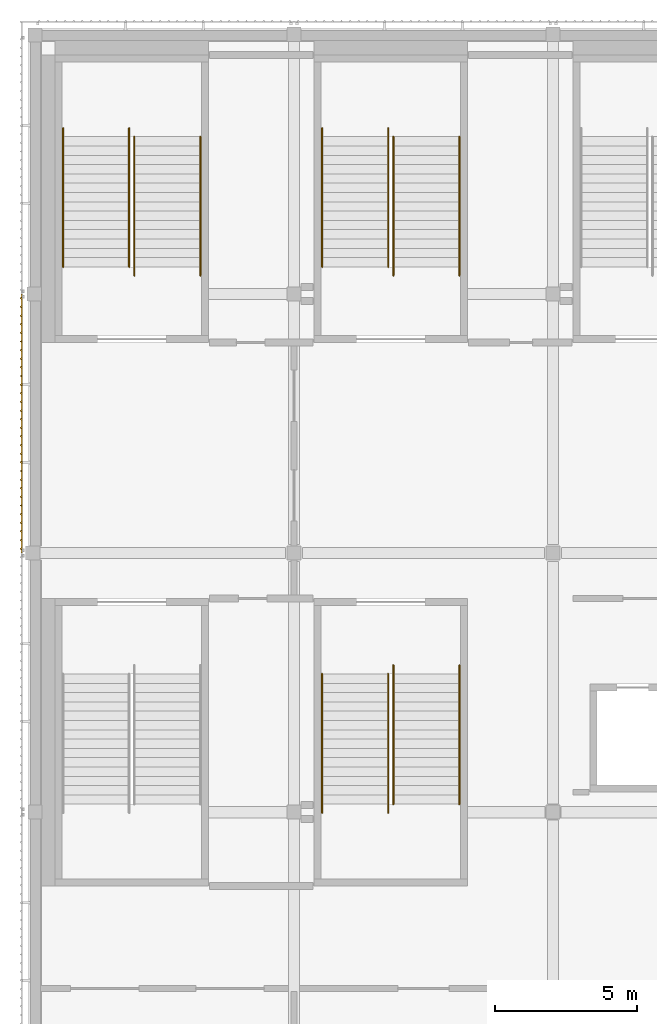
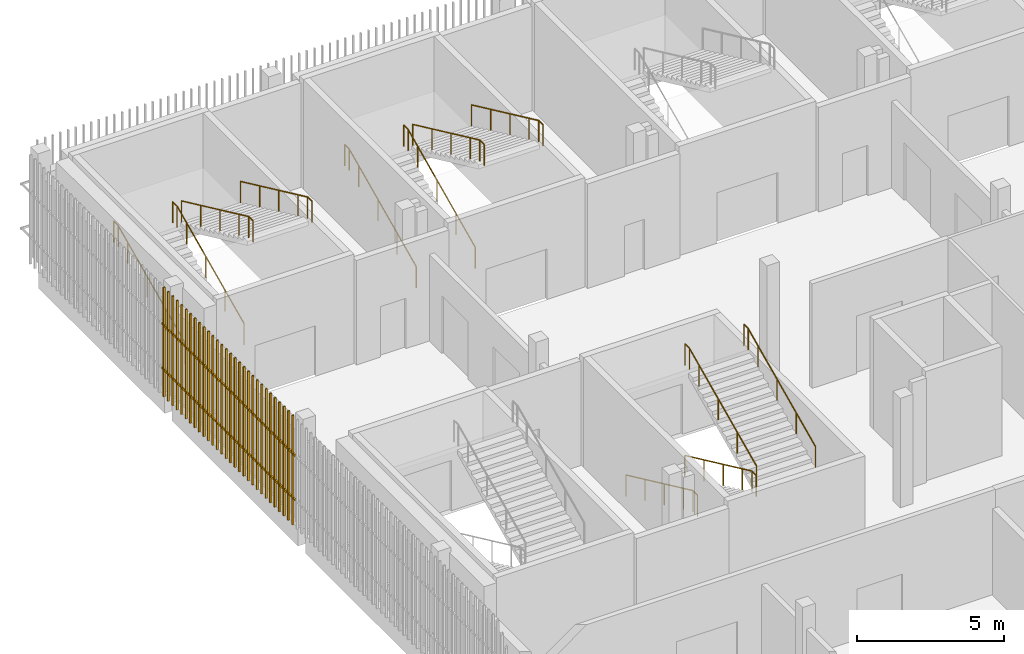
# One storey, part 79 of 91: 12 railings, 1 shading device.
"""IFC4 building model written with IfcOpenShell, lengths in metres."""

from ifc_helpers import new_model, si_unit, direction, frame, origin, origin_2d, place, context, subcontext, project, spatial, rectangle, circle, extrude, material, type_object, element, save


model = new_model("IFC4")

# Units and contexts
model_context = context("Model", 3, precision=1e-05, world=origin(), true_north=direction((0.0, 1.0)))
body_context = subcontext(model_context, "Body", "Model", "MODEL_VIEW")
ifc_project = project(units=[si_unit("LENGTHUNIT", "METRE"), si_unit("AREAUNIT", "SQUARE_METRE"), si_unit("VOLUMEUNIT", "CUBIC_METRE"), si_unit("PLANEANGLEUNIT", "RADIAN"), si_unit("MASSUNIT", "GRAM", prefix="KILO")], contexts=[model_context])

# Site, building, storey
site_placement = place(None, origin())
site = spatial("IfcSite", under=ifc_project, at=site_placement, CompositionType="ELEMENT")
building_placement = place(site_placement, origin())
building = spatial("IfcBuilding", under=site, at=building_placement, Name="Shirokan Park Arena", CompositionType="ELEMENT")
storey_placement = place(building_placement, frame((0.0, 0.0, 24.570068359375)))
storey = spatial("IfcBuildingStorey", under=building, at=storey_placement, Name="L05", CompositionType="ELEMENT", Elevation=24.570068359375)

# Railings
ifc_material_1 = material(Name="Stainless steel", Category="steel")
railing_type = type_object("IfcRailingType", Name="Stair handrail 900", PredefinedType="HANDRAIL", material=ifc_material_1)
railing_1_placement = place(storey_placement, frame((0.989990234375, 101.050048828125, 0.151611328125)))
element("IfcRailing", 1, at=railing_1_placement, inside=storey, type_object=railing_type, Name="Handrail Exit Stair 4.A L05 to L06", PredefinedType="HANDRAIL", context=body_context, shape_type="SweptSolid", body=[
    extrude(circle(Radius=0.02392578125, at=origin_2d()), frame((0.0, 0.0, 0.8759765625), z_axis=(0.0, 0.906999720516, 0.421131222998), x_axis=(-1.0, 0.0, 0.0)), (0.0, 0.0, 1.0), 1.440673828125),
    extrude(circle(Radius=0.02392578125, at=origin_2d()), frame((0.0, 1.306640625, 1.482421875), z_axis=(0.0, 0.907029769225, 0.421066500378), x_axis=(-1.0, 0.0, 0.0)), (0.0, 0.0, 1.0), 1.44091796875),
    extrude(circle(Radius=0.02392578125, at=origin_2d()), frame((0.0, 2.613525390625, 2.08935546875), z_axis=(0.0, 0.907029769225, 0.421066500378), x_axis=(-1.0, 0.0, 0.0)), (0.0, 0.0, 1.0), 1.44091796875),
    extrude(circle(Radius=0.02392578125, at=origin_2d()), frame((0.0, 3.92041015625, 2.69580078125), z_axis=(0.0, 0.907064445915, 0.420991794405), x_axis=(-1.0, 0.0, 0.0)), (0.0, 0.0, 1.0), 0.72021484375),
    extrude(circle(Radius=0.02392578125, at=origin_2d()), frame((0.0, 4.57373046875, 2.9990234375), z_axis=(0.0, 1.0, 0.0), x_axis=(-1.0, 0.0, 0.0)), (0.0, 0.0, 1.0), 0.300048828125),
    extrude(circle(Radius=0.02099609375, at=origin_2d()), origin(), (0.0, 0.0, 1.0), 0.851806640625),
    extrude(circle(Radius=0.02099609375, at=origin_2d()), frame((0.0, 1.306640625, 0.606689453125)), (0.0, 0.0, 1.0), 0.851806640625),
    extrude(circle(Radius=0.02099609375, at=origin_2d()), frame((0.0, 2.613525390625, 1.21337890625)), (0.0, 0.0, 1.0), 0.851806640625),
    extrude(circle(Radius=0.02099609375, at=origin_2d()), frame((0.0, 3.92041015625, 1.820068359375)), (0.0, 0.0, 1.0), 0.851806640625),
    extrude(circle(Radius=0.02099609375, at=origin_2d()), frame((0.0, 4.57373046875, 2.123291015625)), (0.0, 0.0, 1.0), 0.851806640625),
    extrude(circle(Radius=0.02099609375, at=origin_2d()), frame((0.0, 4.873779296875, 2.123291015625)), (0.0, 0.0, 1.0), 0.851806640625),
])
railing_2_placement = place(storey_placement, frame((3.31005859375, 101.050048828125, 0.151611328125)))
element("IfcRailing", 2, at=railing_2_placement, inside=storey, type_object=railing_type, Name="Handrail Exit Stair 4.A L05 to L06", PredefinedType="HANDRAIL", context=body_context, shape_type="SweptSolid", body=[
    extrude(circle(Radius=0.02392578125, at=origin_2d()), frame((0.0, 0.0, 0.8759765625), z_axis=(0.0, 0.906999720516, 0.421131222998), x_axis=(-1.0, 0.0, 0.0)), (0.0, 0.0, 1.0), 1.440673828125),
    extrude(circle(Radius=0.02392578125, at=origin_2d()), frame((0.0, 1.306640625, 1.482421875), z_axis=(0.0, 0.907029769225, 0.421066500378), x_axis=(-1.0, 0.0, 0.0)), (0.0, 0.0, 1.0), 1.44091796875),
    extrude(circle(Radius=0.02392578125, at=origin_2d()), frame((0.0, 2.613525390625, 2.08935546875), z_axis=(0.0, 0.907029769225, 0.421066500378), x_axis=(-1.0, 0.0, 0.0)), (0.0, 0.0, 1.0), 1.44091796875),
    extrude(circle(Radius=0.02392578125, at=origin_2d()), frame((0.0, 3.92041015625, 2.69580078125), z_axis=(0.0, 0.907064445915, 0.420991794405), x_axis=(-1.0, 0.0, 0.0)), (0.0, 0.0, 1.0), 0.72021484375),
    extrude(circle(Radius=0.02392578125, at=origin_2d()), frame((0.0, 4.57373046875, 2.9990234375), z_axis=(0.0, 1.0, 0.0), x_axis=(-1.0, 0.0, 0.0)), (0.0, 0.0, 1.0), 0.300048828125),
    extrude(circle(Radius=0.02099609375, at=origin_2d()), origin(), (0.0, 0.0, 1.0), 0.851806640625),
    extrude(circle(Radius=0.02099609375, at=origin_2d()), frame((0.0, 1.306640625, 0.606689453125)), (0.0, 0.0, 1.0), 0.851806640625),
    extrude(circle(Radius=0.02099609375, at=origin_2d()), frame((0.0, 2.613525390625, 1.21337890625)), (0.0, 0.0, 1.0), 0.851806640625),
    extrude(circle(Radius=0.02099609375, at=origin_2d()), frame((0.0, 3.92041015625, 1.820068359375)), (0.0, 0.0, 1.0), 0.851806640625),
    extrude(circle(Radius=0.02099609375, at=origin_2d()), frame((0.0, 4.57373046875, 2.123291015625)), (0.0, 0.0, 1.0), 0.851806640625),
    extrude(circle(Radius=0.02099609375, at=origin_2d()), frame((0.0, 4.873779296875, 2.123291015625)), (0.0, 0.0, 1.0), 0.851806640625),
])
railing_3_placement = place(storey_placement, frame((3.489990234375, 105.623779296875, 2.426513671875)))
element("IfcRailing", 3, at=railing_3_placement, inside=storey, type_object=railing_type, Name="Handrail Exit Stair 4.A L05 to L06", PredefinedType="HANDRAIL", context=body_context, shape_type="SweptSolid", body=[
    extrude(circle(Radius=0.02392578125, at=origin_2d()), frame((0.0, 0.0, 0.8759765625), z_axis=(0.0, -0.907029769225, 0.421066500378), x_axis=(1.0, 0.0, 0.0)), (0.0, 0.0, 1.0), 1.44091796875),
    extrude(circle(Radius=0.02392578125, at=origin_2d()), frame((0.0, -1.306884765625, 1.482421875), z_axis=(0.0, -0.906999720516, 0.421131222998), x_axis=(1.0, 0.0, 0.0)), (0.0, 0.0, 1.0), 1.440673828125),
    extrude(circle(Radius=0.02392578125, at=origin_2d()), frame((0.0, -2.613525390625, 2.08935546875), z_axis=(0.0, -0.907029769225, 0.421066500378), x_axis=(1.0, 0.0, 0.0)), (0.0, 0.0, 1.0), 1.44091796875),
    extrude(circle(Radius=0.02392578125, at=origin_2d()), frame((0.0, -3.92041015625, 2.69580078125), z_axis=(0.0, -0.906934982928, 0.421270621741), x_axis=(1.0, 0.0, 0.0)), (0.0, 0.0, 1.0), 0.720458984375),
    extrude(circle(Radius=0.02392578125, at=origin_2d()), frame((0.0, -4.57373046875, 2.99951171875), z_axis=(0.0, -1.0, 0.0), x_axis=(1.0, 0.0, 0.0)), (0.0, 0.0, 1.0), 0.300048828125),
    extrude(circle(Radius=0.02099609375, at=origin_2d()), origin(), (0.0, 0.0, 1.0), 0.851806640625),
    extrude(circle(Radius=0.02099609375, at=origin_2d()), frame((0.0, -1.306884765625, 0.606689453125)), (0.0, 0.0, 1.0), 0.851806640625),
    extrude(circle(Radius=0.02099609375, at=origin_2d()), frame((0.0, -2.613525390625, 1.21337890625)), (0.0, 0.0, 1.0), 0.851806640625),
    extrude(circle(Radius=0.02099609375, at=origin_2d()), frame((0.0, -3.92041015625, 1.820068359375)), (0.0, 0.0, 1.0), 0.851806640625),
    extrude(circle(Radius=0.02099609375, at=origin_2d()), frame((0.0, -4.57373046875, 2.12353515625)), (0.0, 0.0, 1.0), 0.851806640625),
    extrude(circle(Radius=0.02099609375, at=origin_2d()), frame((0.0, -4.873779296875, 2.12353515625)), (0.0, 0.0, 1.0), 0.851806640625),
])
railing_4_placement = place(storey_placement, frame((5.81005859375, 105.623779296875, 2.426513671875)))
element("IfcRailing", 4, at=railing_4_placement, inside=storey, type_object=railing_type, Name="Handrail Exit Stair 4.A L05 to L06", PredefinedType="HANDRAIL", context=body_context, shape_type="SweptSolid", body=[
    extrude(circle(Radius=0.02392578125, at=origin_2d()), frame((0.0, 0.0, 0.8759765625), z_axis=(0.0, -0.907029769225, 0.421066500378), x_axis=(1.0, 0.0, 0.0)), (0.0, 0.0, 1.0), 1.44091796875),
    extrude(circle(Radius=0.02392578125, at=origin_2d()), frame((0.0, -1.306884765625, 1.482421875), z_axis=(0.0, -0.906999720516, 0.421131222998), x_axis=(1.0, 0.0, 0.0)), (0.0, 0.0, 1.0), 1.440673828125),
    extrude(circle(Radius=0.02392578125, at=origin_2d()), frame((0.0, -2.613525390625, 2.08935546875), z_axis=(0.0, -0.907029769225, 0.421066500378), x_axis=(1.0, 0.0, 0.0)), (0.0, 0.0, 1.0), 1.44091796875),
    extrude(circle(Radius=0.02392578125, at=origin_2d()), frame((0.0, -3.92041015625, 2.69580078125), z_axis=(0.0, -0.906934982928, 0.421270621741), x_axis=(1.0, 0.0, 0.0)), (0.0, 0.0, 1.0), 0.720458984375),
    extrude(circle(Radius=0.02392578125, at=origin_2d()), frame((0.0, -4.57373046875, 2.99951171875), z_axis=(0.0, -1.0, 0.0), x_axis=(1.0, 0.0, 0.0)), (0.0, 0.0, 1.0), 0.300048828125),
    extrude(circle(Radius=0.02099609375, at=origin_2d()), origin(), (0.0, 0.0, 1.0), 0.851806640625),
    extrude(circle(Radius=0.02099609375, at=origin_2d()), frame((0.0, -1.306884765625, 0.606689453125)), (0.0, 0.0, 1.0), 0.851806640625),
    extrude(circle(Radius=0.02099609375, at=origin_2d()), frame((0.0, -2.613525390625, 1.21337890625)), (0.0, 0.0, 1.0), 0.851806640625),
    extrude(circle(Radius=0.02099609375, at=origin_2d()), frame((0.0, -3.92041015625, 1.820068359375)), (0.0, 0.0, 1.0), 0.851806640625),
    extrude(circle(Radius=0.02099609375, at=origin_2d()), frame((0.0, -4.57373046875, 2.12353515625)), (0.0, 0.0, 1.0), 0.851806640625),
    extrude(circle(Radius=0.02099609375, at=origin_2d()), frame((0.0, -4.873779296875, 2.12353515625)), (0.0, 0.0, 1.0), 0.851806640625),
])
railing_5_placement = place(storey_placement, frame((10.090087890625, 101.050048828125, 0.151611328125)))
element("IfcRailing", 5, at=railing_5_placement, inside=storey, type_object=railing_type, Name="Handrail Exit Stair 4.B L05 to L06", PredefinedType="HANDRAIL", context=body_context, shape_type="SweptSolid", body=[
    extrude(circle(Radius=0.02392578125, at=origin_2d()), frame((0.0, 0.0, 0.8759765625), z_axis=(0.0, 0.906999720516, 0.421131222998), x_axis=(-1.0, 0.0, 0.0)), (0.0, 0.0, 1.0), 1.440673828125),
    extrude(circle(Radius=0.02392578125, at=origin_2d()), frame((0.0, 1.306640625, 1.482421875), z_axis=(0.0, 0.907029769225, 0.421066500378), x_axis=(-1.0, 0.0, 0.0)), (0.0, 0.0, 1.0), 1.44091796875),
    extrude(circle(Radius=0.02392578125, at=origin_2d()), frame((0.0, 2.613525390625, 2.08935546875), z_axis=(0.0, 0.907029769225, 0.421066500378), x_axis=(-1.0, 0.0, 0.0)), (0.0, 0.0, 1.0), 1.44091796875),
    extrude(circle(Radius=0.02392578125, at=origin_2d()), frame((0.0, 3.92041015625, 2.69580078125), z_axis=(0.0, 0.907064445915, 0.420991794405), x_axis=(-1.0, 0.0, 0.0)), (0.0, 0.0, 1.0), 0.72021484375),
    extrude(circle(Radius=0.02392578125, at=origin_2d()), frame((0.0, 4.57373046875, 2.9990234375), z_axis=(0.0, 1.0, 0.0), x_axis=(-1.0, 0.0, 0.0)), (0.0, 0.0, 1.0), 0.300048828125),
    extrude(circle(Radius=0.02099609375, at=origin_2d()), origin(), (0.0, 0.0, 1.0), 0.851806640625),
    extrude(circle(Radius=0.02099609375, at=origin_2d()), frame((0.0, 1.306640625, 0.606689453125)), (0.0, 0.0, 1.0), 0.851806640625),
    extrude(circle(Radius=0.02099609375, at=origin_2d()), frame((0.0, 2.613525390625, 1.21337890625)), (0.0, 0.0, 1.0), 0.851806640625),
    extrude(circle(Radius=0.02099609375, at=origin_2d()), frame((0.0, 3.92041015625, 1.820068359375)), (0.0, 0.0, 1.0), 0.851806640625),
    extrude(circle(Radius=0.02099609375, at=origin_2d()), frame((0.0, 4.57373046875, 2.123291015625)), (0.0, 0.0, 1.0), 0.851806640625),
    extrude(circle(Radius=0.02099609375, at=origin_2d()), frame((0.0, 4.873779296875, 2.123291015625)), (0.0, 0.0, 1.0), 0.851806640625),
])
railing_6_placement = place(storey_placement, frame((12.409912109375, 101.050048828125, 0.151611328125)))
element("IfcRailing", 6, at=railing_6_placement, inside=storey, type_object=railing_type, Name="Handrail Exit Stair 4.B L05 to L06", PredefinedType="HANDRAIL", context=body_context, shape_type="SweptSolid", body=[
    extrude(circle(Radius=0.02392578125, at=origin_2d()), frame((0.0, 0.0, 0.8759765625), z_axis=(0.0, 0.906999720516, 0.421131222998), x_axis=(-1.0, 0.0, 0.0)), (0.0, 0.0, 1.0), 1.440673828125),
    extrude(circle(Radius=0.02392578125, at=origin_2d()), frame((0.0, 1.306640625, 1.482421875), z_axis=(0.0, 0.907029769225, 0.421066500378), x_axis=(-1.0, 0.0, 0.0)), (0.0, 0.0, 1.0), 1.44091796875),
    extrude(circle(Radius=0.02392578125, at=origin_2d()), frame((0.0, 2.613525390625, 2.08935546875), z_axis=(0.0, 0.907029769225, 0.421066500378), x_axis=(-1.0, 0.0, 0.0)), (0.0, 0.0, 1.0), 1.44091796875),
    extrude(circle(Radius=0.02392578125, at=origin_2d()), frame((0.0, 3.92041015625, 2.69580078125), z_axis=(0.0, 0.907064445915, 0.420991794405), x_axis=(-1.0, 0.0, 0.0)), (0.0, 0.0, 1.0), 0.72021484375),
    extrude(circle(Radius=0.02392578125, at=origin_2d()), frame((0.0, 4.57373046875, 2.9990234375), z_axis=(0.0, 1.0, 0.0), x_axis=(-1.0, 0.0, 0.0)), (0.0, 0.0, 1.0), 0.300048828125),
    extrude(circle(Radius=0.02099609375, at=origin_2d()), origin(), (0.0, 0.0, 1.0), 0.851806640625),
    extrude(circle(Radius=0.02099609375, at=origin_2d()), frame((0.0, 1.306640625, 0.606689453125)), (0.0, 0.0, 1.0), 0.851806640625),
    extrude(circle(Radius=0.02099609375, at=origin_2d()), frame((0.0, 2.613525390625, 1.21337890625)), (0.0, 0.0, 1.0), 0.851806640625),
    extrude(circle(Radius=0.02099609375, at=origin_2d()), frame((0.0, 3.92041015625, 1.820068359375)), (0.0, 0.0, 1.0), 0.851806640625),
    extrude(circle(Radius=0.02099609375, at=origin_2d()), frame((0.0, 4.57373046875, 2.123291015625)), (0.0, 0.0, 1.0), 0.851806640625),
    extrude(circle(Radius=0.02099609375, at=origin_2d()), frame((0.0, 4.873779296875, 2.123291015625)), (0.0, 0.0, 1.0), 0.851806640625),
])
railing_7_placement = place(storey_placement, frame((12.590087890625, 105.623779296875, 2.426513671875)))
element("IfcRailing", 7, at=railing_7_placement, inside=storey, type_object=railing_type, Name="Handrail Exit Stair 4.B L05 to L06", PredefinedType="HANDRAIL", context=body_context, shape_type="SweptSolid", body=[
    extrude(circle(Radius=0.02392578125, at=origin_2d()), frame((0.0, 0.0, 0.8759765625), z_axis=(0.0, -0.907029769225, 0.421066500378), x_axis=(1.0, 0.0, 0.0)), (0.0, 0.0, 1.0), 1.44091796875),
    extrude(circle(Radius=0.02392578125, at=origin_2d()), frame((0.0, -1.306884765625, 1.482421875), z_axis=(0.0, -0.906999720516, 0.421131222998), x_axis=(1.0, 0.0, 0.0)), (0.0, 0.0, 1.0), 1.440673828125),
    extrude(circle(Radius=0.02392578125, at=origin_2d()), frame((0.0, -2.613525390625, 2.08935546875), z_axis=(0.0, -0.907029769225, 0.421066500378), x_axis=(1.0, 0.0, 0.0)), (0.0, 0.0, 1.0), 1.44091796875),
    extrude(circle(Radius=0.02392578125, at=origin_2d()), frame((0.0, -3.92041015625, 2.69580078125), z_axis=(0.0, -0.906934982928, 0.421270621741), x_axis=(1.0, 0.0, 0.0)), (0.0, 0.0, 1.0), 0.720458984375),
    extrude(circle(Radius=0.02392578125, at=origin_2d()), frame((0.0, -4.57373046875, 2.99951171875), z_axis=(0.0, -1.0, 0.0), x_axis=(1.0, 0.0, 0.0)), (0.0, 0.0, 1.0), 0.300048828125),
    extrude(circle(Radius=0.02099609375, at=origin_2d()), origin(), (0.0, 0.0, 1.0), 0.851806640625),
    extrude(circle(Radius=0.02099609375, at=origin_2d()), frame((0.0, -1.306884765625, 0.606689453125)), (0.0, 0.0, 1.0), 0.851806640625),
    extrude(circle(Radius=0.02099609375, at=origin_2d()), frame((0.0, -2.613525390625, 1.21337890625)), (0.0, 0.0, 1.0), 0.851806640625),
    extrude(circle(Radius=0.02099609375, at=origin_2d()), frame((0.0, -3.92041015625, 1.820068359375)), (0.0, 0.0, 1.0), 0.851806640625),
    extrude(circle(Radius=0.02099609375, at=origin_2d()), frame((0.0, -4.57373046875, 2.12353515625)), (0.0, 0.0, 1.0), 0.851806640625),
    extrude(circle(Radius=0.02099609375, at=origin_2d()), frame((0.0, -4.873779296875, 2.12353515625)), (0.0, 0.0, 1.0), 0.851806640625),
])
railing_8_placement = place(storey_placement, frame((14.909912109375, 105.623779296875, 2.426513671875)))
element("IfcRailing", 8, at=railing_8_placement, inside=storey, type_object=railing_type, Name="Handrail Exit Stair 4.B L05 to L06", PredefinedType="HANDRAIL", context=body_context, shape_type="SweptSolid", body=[
    extrude(circle(Radius=0.02392578125, at=origin_2d()), frame((0.0, 0.0, 0.8759765625), z_axis=(0.0, -0.907029769225, 0.421066500378), x_axis=(1.0, 0.0, 0.0)), (0.0, 0.0, 1.0), 1.44091796875),
    extrude(circle(Radius=0.02392578125, at=origin_2d()), frame((0.0, -1.306884765625, 1.482421875), z_axis=(0.0, -0.906999720516, 0.421131222998), x_axis=(1.0, 0.0, 0.0)), (0.0, 0.0, 1.0), 1.440673828125),
    extrude(circle(Radius=0.02392578125, at=origin_2d()), frame((0.0, -2.613525390625, 2.08935546875), z_axis=(0.0, -0.907029769225, 0.421066500378), x_axis=(1.0, 0.0, 0.0)), (0.0, 0.0, 1.0), 1.44091796875),
    extrude(circle(Radius=0.02392578125, at=origin_2d()), frame((0.0, -3.92041015625, 2.69580078125), z_axis=(0.0, -0.906934982928, 0.421270621741), x_axis=(1.0, 0.0, 0.0)), (0.0, 0.0, 1.0), 0.720458984375),
    extrude(circle(Radius=0.02392578125, at=origin_2d()), frame((0.0, -4.57373046875, 2.99951171875), z_axis=(0.0, -1.0, 0.0), x_axis=(1.0, 0.0, 0.0)), (0.0, 0.0, 1.0), 0.300048828125),
    extrude(circle(Radius=0.02099609375, at=origin_2d()), origin(), (0.0, 0.0, 1.0), 0.851806640625),
    extrude(circle(Radius=0.02099609375, at=origin_2d()), frame((0.0, -1.306884765625, 0.606689453125)), (0.0, 0.0, 1.0), 0.851806640625),
    extrude(circle(Radius=0.02099609375, at=origin_2d()), frame((0.0, -2.613525390625, 1.21337890625)), (0.0, 0.0, 1.0), 0.851806640625),
    extrude(circle(Radius=0.02099609375, at=origin_2d()), frame((0.0, -3.92041015625, 1.820068359375)), (0.0, 0.0, 1.0), 0.851806640625),
    extrude(circle(Radius=0.02099609375, at=origin_2d()), frame((0.0, -4.57373046875, 2.12353515625)), (0.0, 0.0, 1.0), 0.851806640625),
    extrude(circle(Radius=0.02099609375, at=origin_2d()), frame((0.0, -4.873779296875, 2.12353515625)), (0.0, 0.0, 1.0), 0.851806640625),
])
railing_9_placement = place(storey_placement, frame((10.090087890625, 86.75, 0.151611328125)))
element("IfcRailing", 9, at=railing_9_placement, inside=storey, type_object=railing_type, Name="Handrail Exit Stair 4.F L05 to L06", PredefinedType="HANDRAIL", context=body_context, shape_type="SweptSolid", body=[
    extrude(circle(Radius=0.02392578125, at=origin_2d()), frame((0.0, 0.0, 0.8759765625), z_axis=(0.0, -0.907029769225, 0.421066500378), x_axis=(1.0, 0.0, 0.0)), (0.0, 0.0, 1.0), 1.44091796875),
    extrude(circle(Radius=0.02392578125, at=origin_2d()), frame((0.0, -1.306884765625, 1.482421875), z_axis=(0.0, -0.906999720516, 0.421131222998), x_axis=(1.0, 0.0, 0.0)), (0.0, 0.0, 1.0), 1.440673828125),
    extrude(circle(Radius=0.02392578125, at=origin_2d()), frame((0.0, -2.613525390625, 2.08935546875), z_axis=(0.0, -0.907029769225, 0.421066500378), x_axis=(1.0, 0.0, 0.0)), (0.0, 0.0, 1.0), 1.44091796875),
    extrude(circle(Radius=0.02392578125, at=origin_2d()), frame((0.0, -3.92041015625, 2.69580078125), z_axis=(0.0, -0.907064445915, 0.420991794405), x_axis=(1.0, 0.0, 0.0)), (0.0, 0.0, 1.0), 0.72021484375),
    extrude(circle(Radius=0.02392578125, at=origin_2d()), frame((0.0, -4.57373046875, 2.9990234375), z_axis=(0.0, -1.0, 0.0), x_axis=(1.0, 0.0, 0.0)), (0.0, 0.0, 1.0), 0.300048828125),
    extrude(circle(Radius=0.02099609375, at=origin_2d()), origin(), (0.0, 0.0, 1.0), 0.851806640625),
    extrude(circle(Radius=0.02099609375, at=origin_2d()), frame((0.0, -1.306884765625, 0.606689453125)), (0.0, 0.0, 1.0), 0.851806640625),
    extrude(circle(Radius=0.02099609375, at=origin_2d()), frame((0.0, -2.613525390625, 1.21337890625)), (0.0, 0.0, 1.0), 0.851806640625),
    extrude(circle(Radius=0.02099609375, at=origin_2d()), frame((0.0, -3.92041015625, 1.820068359375)), (0.0, 0.0, 1.0), 0.851806640625),
    extrude(circle(Radius=0.02099609375, at=origin_2d()), frame((0.0, -4.57373046875, 2.123291015625)), (0.0, 0.0, 1.0), 0.851806640625),
    extrude(circle(Radius=0.02099609375, at=origin_2d()), frame((0.0, -4.873779296875, 2.123291015625)), (0.0, 0.0, 1.0), 0.851806640625),
])
railing_10_placement = place(storey_placement, frame((12.409912109375, 86.75, 0.151611328125)))
element("IfcRailing", 10, at=railing_10_placement, inside=storey, type_object=railing_type, Name="Handrail Exit Stair 4.F L05 to L06", PredefinedType="HANDRAIL", context=body_context, shape_type="SweptSolid", body=[
    extrude(circle(Radius=0.02392578125, at=origin_2d()), frame((0.0, 0.0, 0.8759765625), z_axis=(0.0, -0.907029769225, 0.421066500378), x_axis=(1.0, 0.0, 0.0)), (0.0, 0.0, 1.0), 1.44091796875),
    extrude(circle(Radius=0.02392578125, at=origin_2d()), frame((0.0, -1.306884765625, 1.482421875), z_axis=(0.0, -0.906999720516, 0.421131222998), x_axis=(1.0, 0.0, 0.0)), (0.0, 0.0, 1.0), 1.440673828125),
    extrude(circle(Radius=0.02392578125, at=origin_2d()), frame((0.0, -2.613525390625, 2.08935546875), z_axis=(0.0, -0.907029769225, 0.421066500378), x_axis=(1.0, 0.0, 0.0)), (0.0, 0.0, 1.0), 1.44091796875),
    extrude(circle(Radius=0.02392578125, at=origin_2d()), frame((0.0, -3.92041015625, 2.69580078125), z_axis=(0.0, -0.907064445915, 0.420991794405), x_axis=(1.0, 0.0, 0.0)), (0.0, 0.0, 1.0), 0.72021484375),
    extrude(circle(Radius=0.02392578125, at=origin_2d()), frame((0.0, -4.57373046875, 2.9990234375), z_axis=(0.0, -1.0, 0.0), x_axis=(1.0, 0.0, 0.0)), (0.0, 0.0, 1.0), 0.300048828125),
    extrude(circle(Radius=0.02099609375, at=origin_2d()), origin(), (0.0, 0.0, 1.0), 0.851806640625),
    extrude(circle(Radius=0.02099609375, at=origin_2d()), frame((0.0, -1.306884765625, 0.606689453125)), (0.0, 0.0, 1.0), 0.851806640625),
    extrude(circle(Radius=0.02099609375, at=origin_2d()), frame((0.0, -2.613525390625, 1.21337890625)), (0.0, 0.0, 1.0), 0.851806640625),
    extrude(circle(Radius=0.02099609375, at=origin_2d()), frame((0.0, -3.92041015625, 1.820068359375)), (0.0, 0.0, 1.0), 0.851806640625),
    extrude(circle(Radius=0.02099609375, at=origin_2d()), frame((0.0, -4.57373046875, 2.123291015625)), (0.0, 0.0, 1.0), 0.851806640625),
    extrude(circle(Radius=0.02099609375, at=origin_2d()), frame((0.0, -4.873779296875, 2.123291015625)), (0.0, 0.0, 1.0), 0.851806640625),
])
railing_11_placement = place(storey_placement, frame((12.590087890625, 82.17626953125, 2.426513671875)))
element("IfcRailing", 11, at=railing_11_placement, inside=storey, type_object=railing_type, Name="Handrail Exit Stair 4.F L05 to L06", PredefinedType="HANDRAIL", context=body_context, shape_type="SweptSolid", body=[
    extrude(circle(Radius=0.02392578125, at=origin_2d()), frame((0.0, 0.0, 0.8759765625), z_axis=(0.0, 0.906999720516, 0.421131222998), x_axis=(-1.0, 0.0, 0.0)), (0.0, 0.0, 1.0), 1.440673828125),
    extrude(circle(Radius=0.02392578125, at=origin_2d()), frame((0.0, 1.306640625, 1.482421875), z_axis=(0.0, 0.907029769225, 0.421066500378), x_axis=(-1.0, 0.0, 0.0)), (0.0, 0.0, 1.0), 1.44091796875),
    extrude(circle(Radius=0.02392578125, at=origin_2d()), frame((0.0, 2.613525390625, 2.08935546875), z_axis=(0.0, 0.907029769225, 0.421066500378), x_axis=(-1.0, 0.0, 0.0)), (0.0, 0.0, 1.0), 1.44091796875),
    extrude(circle(Radius=0.02392578125, at=origin_2d()), frame((0.0, 3.92041015625, 2.69580078125), z_axis=(0.0, 0.906934982928, 0.421270621741), x_axis=(-1.0, 0.0, 0.0)), (0.0, 0.0, 1.0), 0.720458984375),
    extrude(circle(Radius=0.02392578125, at=origin_2d()), frame((0.0, 4.57373046875, 2.99951171875), z_axis=(0.0, 1.0, 0.0), x_axis=(-1.0, 0.0, 0.0)), (0.0, 0.0, 1.0), 0.300048828125),
    extrude(circle(Radius=0.02099609375, at=origin_2d()), origin(), (0.0, 0.0, 1.0), 0.851806640625),
    extrude(circle(Radius=0.02099609375, at=origin_2d()), frame((0.0, 1.306640625, 0.606689453125)), (0.0, 0.0, 1.0), 0.851806640625),
    extrude(circle(Radius=0.02099609375, at=origin_2d()), frame((0.0, 2.613525390625, 1.21337890625)), (0.0, 0.0, 1.0), 0.851806640625),
    extrude(circle(Radius=0.02099609375, at=origin_2d()), frame((0.0, 3.92041015625, 1.820068359375)), (0.0, 0.0, 1.0), 0.851806640625),
    extrude(circle(Radius=0.02099609375, at=origin_2d()), frame((0.0, 4.57373046875, 2.12353515625)), (0.0, 0.0, 1.0), 0.851806640625),
    extrude(circle(Radius=0.02099609375, at=origin_2d()), frame((0.0, 4.873779296875, 2.12353515625)), (0.0, 0.0, 1.0), 0.851806640625),
])
railing_12_placement = place(storey_placement, frame((14.909912109375, 82.17626953125, 2.426513671875)))
element("IfcRailing", 12, at=railing_12_placement, inside=storey, type_object=railing_type, Name="Handrail Exit Stair 4.F L05 to L06", PredefinedType="HANDRAIL", context=body_context, shape_type="SweptSolid", body=[
    extrude(circle(Radius=0.02392578125, at=origin_2d()), frame((0.0, 0.0, 0.8759765625), z_axis=(0.0, 0.906999720516, 0.421131222998), x_axis=(-1.0, 0.0, 0.0)), (0.0, 0.0, 1.0), 1.440673828125),
    extrude(circle(Radius=0.02392578125, at=origin_2d()), frame((0.0, 1.306640625, 1.482421875), z_axis=(0.0, 0.907029769225, 0.421066500378), x_axis=(-1.0, 0.0, 0.0)), (0.0, 0.0, 1.0), 1.44091796875),
    extrude(circle(Radius=0.02392578125, at=origin_2d()), frame((0.0, 2.613525390625, 2.08935546875), z_axis=(0.0, 0.907029769225, 0.421066500378), x_axis=(-1.0, 0.0, 0.0)), (0.0, 0.0, 1.0), 1.44091796875),
    extrude(circle(Radius=0.02392578125, at=origin_2d()), frame((0.0, 3.92041015625, 2.69580078125), z_axis=(0.0, 0.906934982928, 0.421270621741), x_axis=(-1.0, 0.0, 0.0)), (0.0, 0.0, 1.0), 0.720458984375),
    extrude(circle(Radius=0.02392578125, at=origin_2d()), frame((0.0, 4.57373046875, 2.99951171875), z_axis=(0.0, 1.0, 0.0), x_axis=(-1.0, 0.0, 0.0)), (0.0, 0.0, 1.0), 0.300048828125),
    extrude(circle(Radius=0.02099609375, at=origin_2d()), origin(), (0.0, 0.0, 1.0), 0.851806640625),
    extrude(circle(Radius=0.02099609375, at=origin_2d()), frame((0.0, 1.306640625, 0.606689453125)), (0.0, 0.0, 1.0), 0.851806640625),
    extrude(circle(Radius=0.02099609375, at=origin_2d()), frame((0.0, 2.613525390625, 1.21337890625)), (0.0, 0.0, 1.0), 0.851806640625),
    extrude(circle(Radius=0.02099609375, at=origin_2d()), frame((0.0, 3.92041015625, 1.820068359375)), (0.0, 0.0, 1.0), 0.851806640625),
    extrude(circle(Radius=0.02099609375, at=origin_2d()), frame((0.0, 4.57373046875, 2.12353515625)), (0.0, 0.0, 1.0), 0.851806640625),
    extrude(circle(Radius=0.02099609375, at=origin_2d()), frame((0.0, 4.873779296875, 2.12353515625)), (0.0, 0.0, 1.0), 0.851806640625),
])

# Shading device
ifc_material_2 = material(Name="Timber louvre veil (cedar)", Category="wood")
shading_device_type = type_object("IfcShadingDeviceType", Name="Timber louvre veil panel", PredefinedType="JALOUSIE", material=ifc_material_2)
shading_device_placement = place(storey_placement, origin())
element("IfcShadingDevice", 13, at=shading_device_placement, inside=storey, type_object=shading_device_type, Name="Timber louvre veil west bay 2 L05", PredefinedType="JALOUSIE", context=body_context, shape_type="SweptSolid", body=[
    extrude(rectangle(XDim=0.050048828125, YDim=0.080078125, at=origin_2d()), frame((-0.485107421875, 99.9482421875, 0.0), z_axis=(0.0, 0.0, 1.0), x_axis=(0.0, -1.0, 0.0)), (0.0, 0.0, 1.0), 4.550048828125),
    extrude(rectangle(XDim=0.050048828125, YDim=0.080078125, at=origin_2d()), frame((-0.485107421875, 99.64501953125, 0.0), z_axis=(0.0, 0.0, 1.0), x_axis=(0.0, -1.0, 0.0)), (0.0, 0.0, 1.0), 4.550048828125),
    extrude(rectangle(XDim=0.050048828125, YDim=0.080078125, at=origin_2d()), frame((-0.485107421875, 99.341552734375, 0.0), z_axis=(0.0, 0.0, 1.0), x_axis=(0.0, -1.0, 0.0)), (0.0, 0.0, 1.0), 4.550048828125),
    extrude(rectangle(XDim=0.050048828125, YDim=0.080078125, at=origin_2d()), frame((-0.485107421875, 99.038330078125, 0.0), z_axis=(0.0, 0.0, 1.0), x_axis=(0.0, -1.0, 0.0)), (0.0, 0.0, 1.0), 4.550048828125),
    extrude(rectangle(XDim=0.050048828125, YDim=0.080078125, at=origin_2d()), frame((-0.485107421875, 98.735107421875, 0.0), z_axis=(0.0, 0.0, 1.0), x_axis=(0.0, -1.0, 0.0)), (0.0, 0.0, 1.0), 4.550048828125),
    extrude(rectangle(XDim=0.050048828125, YDim=0.080078125, at=origin_2d()), frame((-0.485107421875, 98.431640625, 0.0), z_axis=(0.0, 0.0, 1.0), x_axis=(0.0, -1.0, 0.0)), (0.0, 0.0, 1.0), 4.550048828125),
    extrude(rectangle(XDim=0.050048828125, YDim=0.080078125, at=origin_2d()), frame((-0.485107421875, 98.12841796875, 0.0), z_axis=(0.0, 0.0, 1.0), x_axis=(0.0, -1.0, 0.0)), (0.0, 0.0, 1.0), 4.550048828125),
    extrude(rectangle(XDim=0.050048828125, YDim=0.080078125, at=origin_2d()), frame((-0.485107421875, 97.824951171875, 0.0), z_axis=(0.0, 0.0, 1.0), x_axis=(0.0, -1.0, 0.0)), (0.0, 0.0, 1.0), 4.550048828125),
    extrude(rectangle(XDim=0.050048828125, YDim=0.080078125, at=origin_2d()), frame((-0.485107421875, 97.521728515625, 0.0), z_axis=(0.0, 0.0, 1.0), x_axis=(0.0, -1.0, 0.0)), (0.0, 0.0, 1.0), 4.550048828125),
    extrude(rectangle(XDim=0.050048828125, YDim=0.080078125, at=origin_2d()), frame((-0.485107421875, 97.21826171875, 0.0), z_axis=(0.0, 0.0, 1.0), x_axis=(0.0, -1.0, 0.0)), (0.0, 0.0, 1.0), 4.550048828125),
    extrude(rectangle(XDim=0.050048828125, YDim=0.080078125, at=origin_2d()), frame((-0.485107421875, 96.9150390625, 0.0), z_axis=(0.0, 0.0, 1.0), x_axis=(0.0, -1.0, 0.0)), (0.0, 0.0, 1.0), 4.550048828125),
    extrude(rectangle(XDim=0.050048828125, YDim=0.080078125, at=origin_2d()), frame((-0.485107421875, 96.611572265625, 0.0), z_axis=(0.0, 0.0, 1.0), x_axis=(0.0, -1.0, 0.0)), (0.0, 0.0, 1.0), 4.550048828125),
    extrude(rectangle(XDim=0.050048828125, YDim=0.080078125, at=origin_2d()), frame((-0.485107421875, 96.308349609375, 0.0), z_axis=(0.0, 0.0, 1.0), x_axis=(0.0, -1.0, 0.0)), (0.0, 0.0, 1.0), 4.550048828125),
    extrude(rectangle(XDim=0.050048828125, YDim=0.080078125, at=origin_2d()), frame((-0.485107421875, 96.0048828125, 0.0), z_axis=(0.0, 0.0, 1.0), x_axis=(0.0, -1.0, 0.0)), (0.0, 0.0, 1.0), 4.550048828125),
    extrude(rectangle(XDim=0.050048828125, YDim=0.080078125, at=origin_2d()), frame((-0.485107421875, 95.70166015625, 0.0), z_axis=(0.0, 0.0, 1.0), x_axis=(0.0, -1.0, 0.0)), (0.0, 0.0, 1.0), 4.550048828125),
    extrude(rectangle(XDim=0.050048828125, YDim=0.080078125, at=origin_2d()), frame((-0.485107421875, 95.3984375, 0.0), z_axis=(0.0, 0.0, 1.0), x_axis=(0.0, -1.0, 0.0)), (0.0, 0.0, 1.0), 4.550048828125),
    extrude(rectangle(XDim=0.050048828125, YDim=0.080078125, at=origin_2d()), frame((-0.485107421875, 95.094970703125, 0.0), z_axis=(0.0, 0.0, 1.0), x_axis=(0.0, -1.0, 0.0)), (0.0, 0.0, 1.0), 4.550048828125),
    extrude(rectangle(XDim=0.050048828125, YDim=0.080078125, at=origin_2d()), frame((-0.485107421875, 94.791748046875, 0.0), z_axis=(0.0, 0.0, 1.0), x_axis=(0.0, -1.0, 0.0)), (0.0, 0.0, 1.0), 4.550048828125),
    extrude(rectangle(XDim=0.050048828125, YDim=0.080078125, at=origin_2d()), frame((-0.485107421875, 94.48828125, 0.0), z_axis=(0.0, 0.0, 1.0), x_axis=(0.0, -1.0, 0.0)), (0.0, 0.0, 1.0), 4.550048828125),
    extrude(rectangle(XDim=0.050048828125, YDim=0.080078125, at=origin_2d()), frame((-0.485107421875, 94.18505859375, 0.0), z_axis=(0.0, 0.0, 1.0), x_axis=(0.0, -1.0, 0.0)), (0.0, 0.0, 1.0), 4.550048828125),
    extrude(rectangle(XDim=0.050048828125, YDim=0.080078125, at=origin_2d()), frame((-0.485107421875, 93.881591796875, 0.0), z_axis=(0.0, 0.0, 1.0), x_axis=(0.0, -1.0, 0.0)), (0.0, 0.0, 1.0), 4.550048828125),
    extrude(rectangle(XDim=0.050048828125, YDim=0.080078125, at=origin_2d()), frame((-0.485107421875, 93.578369140625, 0.0), z_axis=(0.0, 0.0, 1.0), x_axis=(0.0, -1.0, 0.0)), (0.0, 0.0, 1.0), 4.550048828125),
    extrude(rectangle(XDim=0.050048828125, YDim=0.080078125, at=origin_2d()), frame((-0.485107421875, 93.27490234375, 0.0), z_axis=(0.0, 0.0, 1.0), x_axis=(0.0, -1.0, 0.0)), (0.0, 0.0, 1.0), 4.550048828125),
    extrude(rectangle(XDim=0.050048828125, YDim=0.080078125, at=origin_2d()), frame((-0.485107421875, 92.9716796875, 0.0), z_axis=(0.0, 0.0, 1.0), x_axis=(0.0, -1.0, 0.0)), (0.0, 0.0, 1.0), 4.550048828125),
    extrude(rectangle(XDim=0.050048828125, YDim=0.080078125, at=origin_2d()), frame((-0.485107421875, 92.668212890625, 0.0), z_axis=(0.0, 0.0, 1.0), x_axis=(0.0, -1.0, 0.0)), (0.0, 0.0, 1.0), 4.550048828125),
    extrude(rectangle(XDim=0.050048828125, YDim=0.080078125, at=origin_2d()), frame((-0.485107421875, 92.364990234375, 0.0), z_axis=(0.0, 0.0, 1.0), x_axis=(0.0, -1.0, 0.0)), (0.0, 0.0, 1.0), 4.550048828125),
    extrude(rectangle(XDim=0.050048828125, YDim=0.080078125, at=origin_2d()), frame((-0.485107421875, 92.061767578125, 0.0), z_axis=(0.0, 0.0, 1.0), x_axis=(0.0, -1.0, 0.0)), (0.0, 0.0, 1.0), 4.550048828125),
    extrude(rectangle(XDim=0.050048828125, YDim=0.080078125, at=origin_2d()), frame((-0.485107421875, 91.75830078125, 0.0), z_axis=(0.0, 0.0, 1.0), x_axis=(0.0, -1.0, 0.0)), (0.0, 0.0, 1.0), 4.550048828125),
    extrude(rectangle(XDim=0.050048828125, YDim=0.080078125, at=origin_2d()), frame((-0.485107421875, 91.455078125, 0.0), z_axis=(0.0, 0.0, 1.0), x_axis=(0.0, -1.0, 0.0)), (0.0, 0.0, 1.0), 4.550048828125),
    extrude(rectangle(XDim=0.050048828125, YDim=0.080078125, at=origin_2d()), frame((-0.485107421875, 91.151611328125, 0.0), z_axis=(0.0, 0.0, 1.0), x_axis=(0.0, -1.0, 0.0)), (0.0, 0.0, 1.0), 4.550048828125),
    extrude(rectangle(XDim=9.10009765625, YDim=0.050048828125, at=origin_2d()), frame((-0.469970703125, 95.550048828125, 1.059814453125), z_axis=(0.0, 0.0, 1.0), x_axis=(0.0, -1.0, 0.0)), (0.0, 0.0, 1.0), 0.080078125),
    extrude(rectangle(XDim=9.10009765625, YDim=0.050048828125, at=origin_2d()), frame((-0.469970703125, 95.550048828125, 2.909912109375), z_axis=(0.0, 0.0, 1.0), x_axis=(0.0, -1.0, 0.0)), (0.0, 0.0, 1.0), 0.080078125),
])

save(model, "model.ifc")
